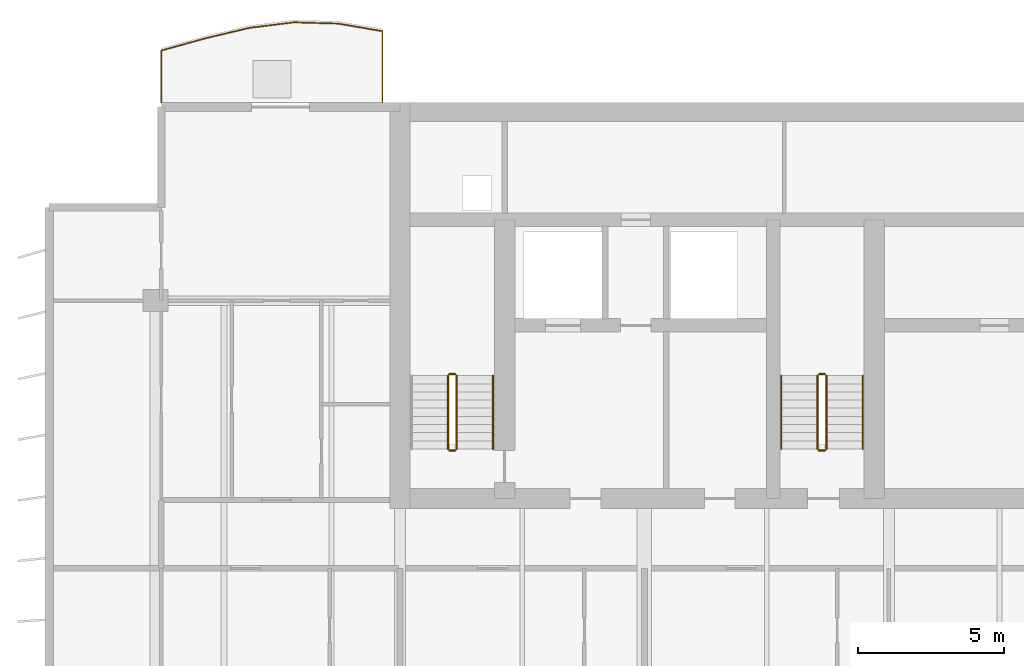
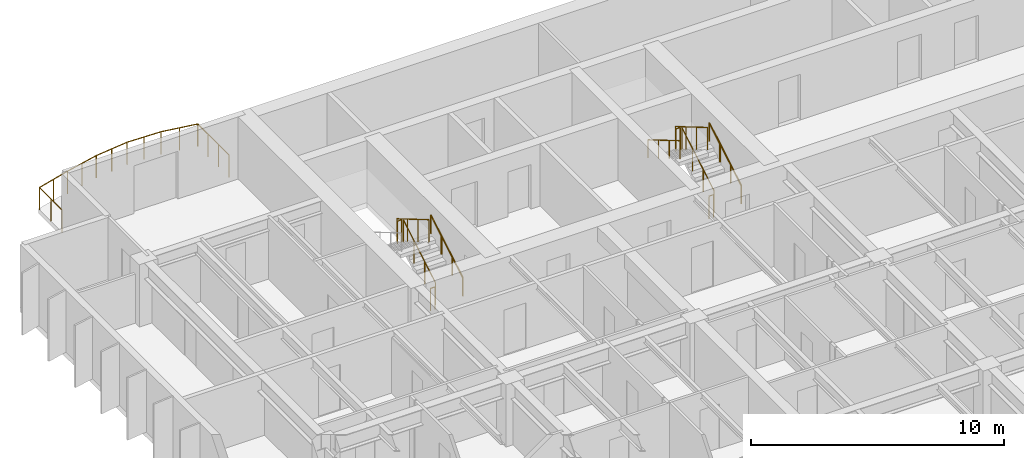
# One storey, part 16 of 18: 12 railings.
"""IFC4 building model written with IfcOpenShell, lengths in metres."""

from ifc_helpers import new_model, si_unit, direction, frame, origin, origin_2d, place, context, subcontext, project, spatial, circle, extrude, material, type_object, element, save


model = new_model("IFC4")

# Units and contexts
model_context = context("Model", 3, precision=1e-05, world=origin(), true_north=direction((0.0, 1.0)))
body_context = subcontext(model_context, "Body", "Model", "MODEL_VIEW")
ifc_project = project(units=[si_unit("LENGTHUNIT", "METRE"), si_unit("AREAUNIT", "SQUARE_METRE"), si_unit("VOLUMEUNIT", "CUBIC_METRE"), si_unit("PLANEANGLEUNIT", "RADIAN"), si_unit("MASSUNIT", "GRAM", prefix="KILO")], contexts=[model_context])

# Site, building, storey
site_placement = place(None, origin())
site = spatial("IfcSite", under=ifc_project, at=site_placement, CompositionType="ELEMENT")
building_placement = place(site_placement, origin())
building = spatial("IfcBuilding", under=site, at=building_placement, Name="Caelmar Bay Residences", CompositionType="ELEMENT")
storey_placement = place(building_placement, frame((0.0, 0.0, 180.300048828125)))
storey = spatial("IfcBuildingStorey", under=building, at=storey_placement, Name="L50", CompositionType="ELEMENT", Elevation=180.300048828125)

# Railings
ifc_material_1 = material(Name="Anodised bronze handrail with laminated hurricane glass infill", Category="glass")
railing_type_1 = type_object("IfcRailingType", Name="RL-BAL-1100", PredefinedType="BALUSTRADE", material=ifc_material_1)
railing_1_placement = place(storey_placement, frame((17.699951171875, 50.60009765625, 0.0)))
element("IfcRailing", 1, at=railing_1_placement, inside=storey, type_object=railing_type_1, Name="L50 north_west Balcony Balustrade", PredefinedType="BALUSTRADE", context=body_context, shape_type="SweptSolid", body=[
    extrude(circle(Radius=0.02392578125, at=origin_2d()), frame((0.0, 0.0, 1.076171875), z_axis=(0.0, 1.0, 0.0), x_axis=(-1.0, 0.0, 0.0)), (0.0, 0.0, 1.0), 2.45166015625),
    extrude(circle(Radius=0.02392578125, at=origin_2d()), frame((0.0, 2.45166015625, 1.076171875), z_axis=(-0.985445490472, 0.169991721293, 0.0), x_axis=(-0.169991721293, -0.985445490472, 0.0)), (0.0, 0.0, 1.0), 1.54248046875),
    extrude(circle(Radius=0.02392578125, at=origin_2d()), frame((-1.52001953125, 2.7138671875, 1.076171875), z_axis=(-0.999582338318, 0.028898943286, 0.0), x_axis=(-0.028898943286, -0.999582338318, 0.0)), (0.0, 0.0, 1.0), 1.520751953125),
    extrude(circle(Radius=0.02392578125, at=origin_2d()), frame((-3.0400390625, 2.7578125, 1.076171875), z_axis=(-0.992438886558, -0.122739791624, 0.0), x_axis=(0.122739791624, -0.992438886558, 0.0)), (0.0, 0.0, 1.0), 1.531494140625),
    extrude(circle(Radius=0.02392578125, at=origin_2d()), frame((-4.56005859375, 2.56982421875, 1.076171875), z_axis=(-0.972881623136, -0.231303582689, 0.0), x_axis=(0.231303582689, -0.972881623136, 0.0)), (0.0, 0.0, 1.0), 1.562255859375),
    extrude(circle(Radius=0.02392578125, at=origin_2d()), frame((-6.079833984375, 2.20849609375, 1.076171875), z_axis=(-0.96381450531, -0.266573815956, 0.0), x_axis=(0.266573815956, -0.96381450531, 0.0)), (0.0, 0.0, 1.0), 1.5771484375),
    extrude(circle(Radius=0.02392578125, at=origin_2d()), frame((-7.599853515625, 1.7880859375, 1.076171875), z_axis=(0.0, -1.0, 0.0), x_axis=(1.0, 0.0, 0.0)), (0.0, 0.0, 1.0), 1.7880859375),
    extrude(circle(Radius=0.02099609375, at=origin_2d()), origin(), (0.0, 0.0, 1.0), 1.052001953125),
    extrude(circle(Radius=0.02099609375, at=origin_2d()), frame((0.0, 0.817138671875, 0.0)), (0.0, 0.0, 1.0), 1.052001953125),
    extrude(circle(Radius=0.02099609375, at=origin_2d()), frame((0.0, 1.634521484375, 0.0)), (0.0, 0.0, 1.0), 1.052001953125),
    extrude(circle(Radius=0.02099609375, at=origin_2d()), frame((0.0, 2.45166015625, 0.0)), (0.0, 0.0, 1.0), 1.052001953125),
    extrude(circle(Radius=0.02099609375, at=origin_2d()), frame((-0.760009765625, 2.582763671875, 0.0)), (0.0, 0.0, 1.0), 1.052001953125),
    extrude(circle(Radius=0.02099609375, at=origin_2d()), frame((-1.52001953125, 2.7138671875, 0.0)), (0.0, 0.0, 1.0), 1.052001953125),
    extrude(circle(Radius=0.02099609375, at=origin_2d()), frame((-2.280029296875, 2.73583984375, 0.0)), (0.0, 0.0, 1.0), 1.052001953125),
    extrude(circle(Radius=0.02099609375, at=origin_2d()), frame((-3.0400390625, 2.7578125, 0.0)), (0.0, 0.0, 1.0), 1.052001953125),
    extrude(circle(Radius=0.02099609375, at=origin_2d()), frame((-3.800048828125, 2.663818359375, 0.0)), (0.0, 0.0, 1.0), 1.052001953125),
    extrude(circle(Radius=0.02099609375, at=origin_2d()), frame((-4.56005859375, 2.56982421875, 0.0)), (0.0, 0.0, 1.0), 1.052001953125),
    extrude(circle(Radius=0.02099609375, at=origin_2d()), frame((-5.31982421875, 2.38916015625, 0.0)), (0.0, 0.0, 1.0), 1.052001953125),
    extrude(circle(Radius=0.02099609375, at=origin_2d()), frame((-6.079833984375, 2.20849609375, 0.0)), (0.0, 0.0, 1.0), 1.052001953125),
    extrude(circle(Radius=0.02099609375, at=origin_2d()), frame((-6.83984375, 1.998291015625, 0.0)), (0.0, 0.0, 1.0), 1.052001953125),
    extrude(circle(Radius=0.02099609375, at=origin_2d()), frame((-7.599853515625, 1.7880859375, 0.0)), (0.0, 0.0, 1.0), 1.052001953125),
    extrude(circle(Radius=0.02099609375, at=origin_2d()), frame((-7.599853515625, 0.89404296875, 0.0)), (0.0, 0.0, 1.0), 1.052001953125),
    extrude(circle(Radius=0.02099609375, at=origin_2d()), frame((-7.599853515625, 0.0, 0.0)), (0.0, 0.0, 1.0), 1.052001953125),
])
ifc_material_2 = material(Name="Painted galvanized steel stair guard 1100 mm", Category="steel")
railing_type_2 = type_object("IfcRailingType", Name="RL-GRD-1100", PredefinedType="GUARDRAIL", material=ifc_material_2)
railing_2_placement = place(storey_placement, frame((20.25, 38.699951171875, 0.1650390625)))
element("IfcRailing", 2, at=railing_2_placement, inside=storey, type_object=railing_type_2, Name="L50 ST1 stair guard 1", PredefinedType="GUARDRAIL", context=body_context, shape_type="SweptSolid", body=[
    extrude(circle(Radius=0.02392578125, at=origin_2d()), frame((0.0, 0.0, 1.076171875), z_axis=(0.0, 0.861560626758, 0.507654692109), x_axis=(-1.0, 0.0, 0.0)), (0.0, 0.0, 1.0), 2.925048828125),
    extrude(circle(Radius=0.02099609375, at=origin_2d()), origin(), (0.0, 0.0, 1.0), 1.052001953125),
    extrude(circle(Radius=0.02099609375, at=origin_2d()), frame((0.0, 0.840087890625, 0.494873046875)), (0.0, 0.0, 1.0), 1.052001953125),
    extrude(circle(Radius=0.02099609375, at=origin_2d()), frame((0.0, 1.679931640625, 0.989990234375)), (0.0, 0.0, 1.0), 1.052001953125),
    extrude(circle(Radius=0.02099609375, at=origin_2d()), frame((0.0, 2.52001953125, 1.48486328125)), (0.0, 0.0, 1.0), 1.052001953125),
])
railing_3_placement = place(storey_placement, frame((20.199951171875, 41.27001953125, 1.64990234375)))
element("IfcRailing", 3, at=railing_3_placement, inside=storey, type_object=railing_type_2, Name="L50 ST1 stair guard 2", PredefinedType="GUARDRAIL", context=body_context, shape_type="SweptSolid", body=[
    extrude(circle(Radius=0.02392578125, at=origin_2d()), frame((0.0, 0.0, 1.076171875), z_axis=(-1.0, 0.0, 0.0), x_axis=(0.0, -1.0, 0.0)), (0.0, 0.0, 1.0), 0.199951171875),
    extrude(circle(Radius=0.02099609375, at=origin_2d()), origin(), (0.0, 0.0, 1.0), 1.052001953125),
    extrude(circle(Radius=0.02099609375, at=origin_2d()), frame((-0.199951171875, 0.0, 0.0)), (0.0, 0.0, 1.0), 1.052001953125),
])
railing_4_placement = place(storey_placement, frame((19.949951171875, 41.219970703125, 1.81494140625)))
element("IfcRailing", 4, at=railing_4_placement, inside=storey, type_object=railing_type_2, Name="L50 ST1 stair guard 3", PredefinedType="GUARDRAIL", context=body_context, shape_type="SweptSolid", body=[
    extrude(circle(Radius=0.02392578125, at=origin_2d()), frame((0.0, 0.0, 1.076171875), z_axis=(0.0, -0.86152411907, 0.507716645641), x_axis=(1.0, 0.0, 0.0)), (0.0, 0.0, 1.0), 2.925048828125),
    extrude(circle(Radius=0.02099609375, at=origin_2d()), origin(), (0.0, 0.0, 1.0), 1.052001953125),
    extrude(circle(Radius=0.02099609375, at=origin_2d()), frame((0.0, -0.840087890625, 0.4951171875)), (0.0, 0.0, 1.0), 1.052001953125),
    extrude(circle(Radius=0.02099609375, at=origin_2d()), frame((0.0, -1.679931640625, 0.989990234375)), (0.0, 0.0, 1.0), 1.052001953125),
    extrude(circle(Radius=0.02099609375, at=origin_2d()), frame((0.0, -2.52001953125, 1.485107421875)), (0.0, 0.0, 1.0), 1.052001953125),
])
railing_5_placement = place(storey_placement, frame((20.199951171875, 38.64990234375, 0.0)))
element("IfcRailing", 5, at=railing_5_placement, inside=storey, type_object=railing_type_2, Name="L50 ST1 stair guard 4", PredefinedType="GUARDRAIL", context=body_context, shape_type="SweptSolid", body=[
    extrude(circle(Radius=0.02392578125, at=origin_2d()), frame((0.0, 0.0, 1.076171875), z_axis=(-1.0, 0.0, 0.0), x_axis=(0.0, -1.0, 0.0)), (0.0, 0.0, 1.0), 0.199951171875),
    extrude(circle(Radius=0.02099609375, at=origin_2d()), origin(), (0.0, 0.0, 1.0), 1.052001953125),
    extrude(circle(Radius=0.02099609375, at=origin_2d()), frame((-0.199951171875, 0.0, 0.0)), (0.0, 0.0, 1.0), 1.052001953125),
])
railing_6_placement = place(storey_placement, frame((32.949951171875, 38.699951171875, 0.1650390625)))
element("IfcRailing", 6, at=railing_6_placement, inside=storey, type_object=railing_type_2, Name="L50 ST3 stair guard 1", PredefinedType="GUARDRAIL", context=body_context, shape_type="SweptSolid", body=[
    extrude(circle(Radius=0.02392578125, at=origin_2d()), frame((0.0, 0.0, 1.076171875), z_axis=(0.0, 0.861560626758, 0.507654692109), x_axis=(-1.0, 0.0, 0.0)), (0.0, 0.0, 1.0), 2.925048828125),
    extrude(circle(Radius=0.02099609375, at=origin_2d()), origin(), (0.0, 0.0, 1.0), 1.052001953125),
    extrude(circle(Radius=0.02099609375, at=origin_2d()), frame((0.0, 0.840087890625, 0.494873046875)), (0.0, 0.0, 1.0), 1.052001953125),
    extrude(circle(Radius=0.02099609375, at=origin_2d()), frame((0.0, 1.679931640625, 0.989990234375)), (0.0, 0.0, 1.0), 1.052001953125),
    extrude(circle(Radius=0.02099609375, at=origin_2d()), frame((0.0, 2.52001953125, 1.48486328125)), (0.0, 0.0, 1.0), 1.052001953125),
])
railing_7_placement = place(storey_placement, frame((32.89990234375, 41.27001953125, 1.64990234375)))
element("IfcRailing", 7, at=railing_7_placement, inside=storey, type_object=railing_type_2, Name="L50 ST3 stair guard 2", PredefinedType="GUARDRAIL", context=body_context, shape_type="SweptSolid", body=[
    extrude(circle(Radius=0.02392578125, at=origin_2d()), frame((0.0, 0.0, 1.076171875), z_axis=(-1.0, 0.0, 0.0), x_axis=(0.0, -1.0, 0.0)), (0.0, 0.0, 1.0), 0.199951171875),
    extrude(circle(Radius=0.02099609375, at=origin_2d()), origin(), (0.0, 0.0, 1.0), 1.052001953125),
    extrude(circle(Radius=0.02099609375, at=origin_2d()), frame((-0.199951171875, 0.0, 0.0)), (0.0, 0.0, 1.0), 1.052001953125),
])
railing_8_placement = place(storey_placement, frame((32.64990234375, 41.219970703125, 1.81494140625)))
element("IfcRailing", 8, at=railing_8_placement, inside=storey, type_object=railing_type_2, Name="L50 ST3 stair guard 3", PredefinedType="GUARDRAIL", context=body_context, shape_type="SweptSolid", body=[
    extrude(circle(Radius=0.02392578125, at=origin_2d()), frame((0.0, 0.0, 1.076171875), z_axis=(0.0, -0.86152411907, 0.507716645641), x_axis=(1.0, 0.0, 0.0)), (0.0, 0.0, 1.0), 2.925048828125),
    extrude(circle(Radius=0.02099609375, at=origin_2d()), origin(), (0.0, 0.0, 1.0), 1.052001953125),
    extrude(circle(Radius=0.02099609375, at=origin_2d()), frame((0.0, -0.840087890625, 0.4951171875)), (0.0, 0.0, 1.0), 1.052001953125),
    extrude(circle(Radius=0.02099609375, at=origin_2d()), frame((0.0, -1.679931640625, 0.989990234375)), (0.0, 0.0, 1.0), 1.052001953125),
    extrude(circle(Radius=0.02099609375, at=origin_2d()), frame((0.0, -2.52001953125, 1.485107421875)), (0.0, 0.0, 1.0), 1.052001953125),
])
railing_9_placement = place(storey_placement, frame((32.89990234375, 38.64990234375, 0.0)))
element("IfcRailing", 9, at=railing_9_placement, inside=storey, type_object=railing_type_2, Name="L50 ST3 stair guard 4", PredefinedType="GUARDRAIL", context=body_context, shape_type="SweptSolid", body=[
    extrude(circle(Radius=0.02392578125, at=origin_2d()), frame((0.0, 0.0, 1.076171875), z_axis=(-1.0, 0.0, 0.0), x_axis=(0.0, -1.0, 0.0)), (0.0, 0.0, 1.0), 0.199951171875),
    extrude(circle(Radius=0.02099609375, at=origin_2d()), origin(), (0.0, 0.0, 1.0), 1.052001953125),
    extrude(circle(Radius=0.02099609375, at=origin_2d()), frame((-0.199951171875, 0.0, 0.0)), (0.0, 0.0, 1.0), 1.052001953125),
])
ifc_material_3 = material(Name="Brushed bronze stainless-steel tubular handrail 900 mm", Category="steel")
railing_type_3 = type_object("IfcRailingType", Name="RL-HND-900", PredefinedType="HANDRAIL", material=ifc_material_3)
for number, where, name in (
    (10, (21.5, 38.699951171875, 0.1650390625), "L50 ST1 stair handrail 1"),
    (11, (34.199951171875, 38.699951171875, 0.1650390625), "L50 ST3 stair handrail 1"),
):
    element("IfcRailing", number, at=place(storey_placement, frame(where)), inside=storey, type_object=railing_type_3, Name=name, PredefinedType="HANDRAIL", context=body_context, shape_type="SweptSolid", body=[
        extrude(circle(Radius=0.02392578125, at=origin_2d()), frame((0.0, 0.0, 0.8759765625), z_axis=(0.0, 0.861560626758, 0.507654692109), x_axis=(-1.0, 0.0, 0.0)), (0.0, 0.0, 1.0), 2.925048828125),
        extrude(circle(Radius=0.02099609375, at=origin_2d()), origin(), (0.0, 0.0, 1.0), 0.851806640625),
        extrude(circle(Radius=0.02099609375, at=origin_2d()), frame((0.0, 0.840087890625, 0.494873046875)), (0.0, 0.0, 1.0), 0.851806640625),
        extrude(circle(Radius=0.02099609375, at=origin_2d()), frame((0.0, 1.679931640625, 0.989990234375)), (0.0, 0.0, 1.0), 0.851806640625),
        extrude(circle(Radius=0.02099609375, at=origin_2d()), frame((0.0, 2.52001953125, 1.48486328125)), (0.0, 0.0, 1.0), 0.851806640625),
    ])
railing_10_placement = place(storey_placement, frame((31.39990234375, 41.219970703125, 1.81494140625)))
element("IfcRailing", 12, at=railing_10_placement, inside=storey, type_object=railing_type_3, Name="L50 ST3 stair handrail 2", PredefinedType="HANDRAIL", context=body_context, shape_type="SweptSolid", body=[
    extrude(circle(Radius=0.02392578125, at=origin_2d()), frame((0.0, 0.0, 0.8759765625), z_axis=(0.0, -0.86152411907, 0.507716645641), x_axis=(1.0, 0.0, 0.0)), (0.0, 0.0, 1.0), 2.925048828125),
    extrude(circle(Radius=0.02099609375, at=origin_2d()), origin(), (0.0, 0.0, 1.0), 0.851806640625),
    extrude(circle(Radius=0.02099609375, at=origin_2d()), frame((0.0, -0.840087890625, 0.4951171875)), (0.0, 0.0, 1.0), 0.851806640625),
    extrude(circle(Radius=0.02099609375, at=origin_2d()), frame((0.0, -1.679931640625, 0.989990234375)), (0.0, 0.0, 1.0), 0.851806640625),
    extrude(circle(Radius=0.02099609375, at=origin_2d()), frame((0.0, -2.52001953125, 1.485107421875)), (0.0, 0.0, 1.0), 0.851806640625),
])

save(model, "model.ifc")
